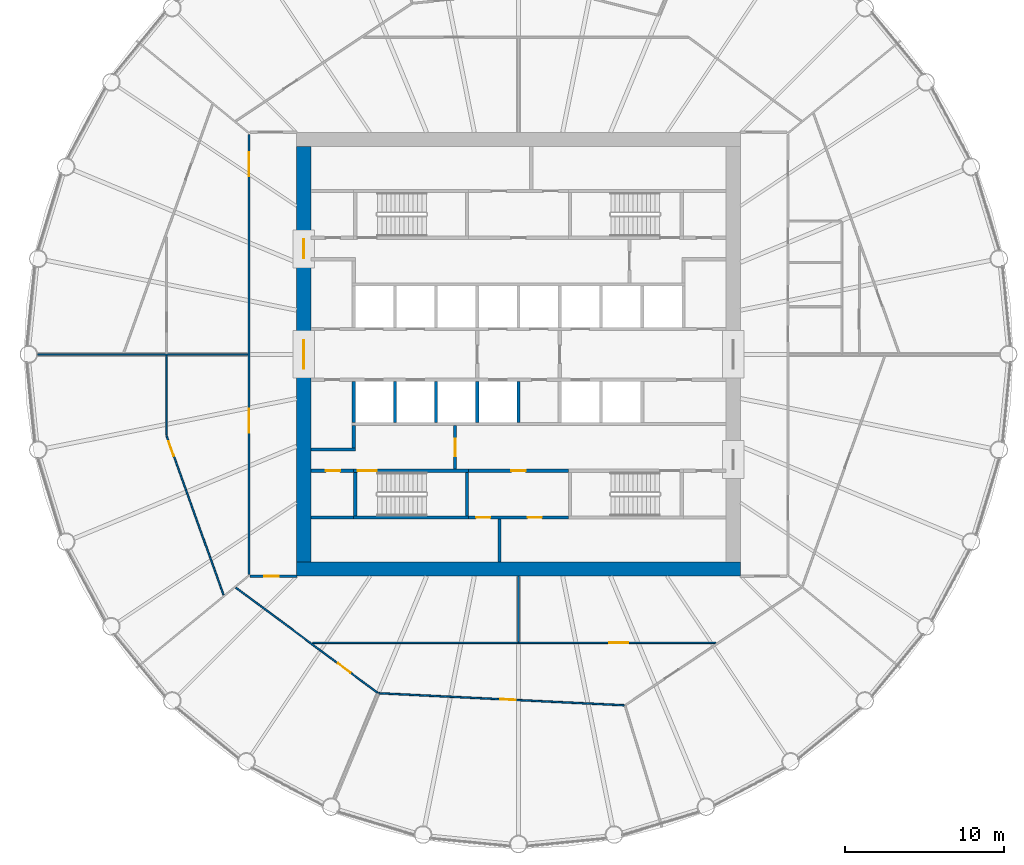
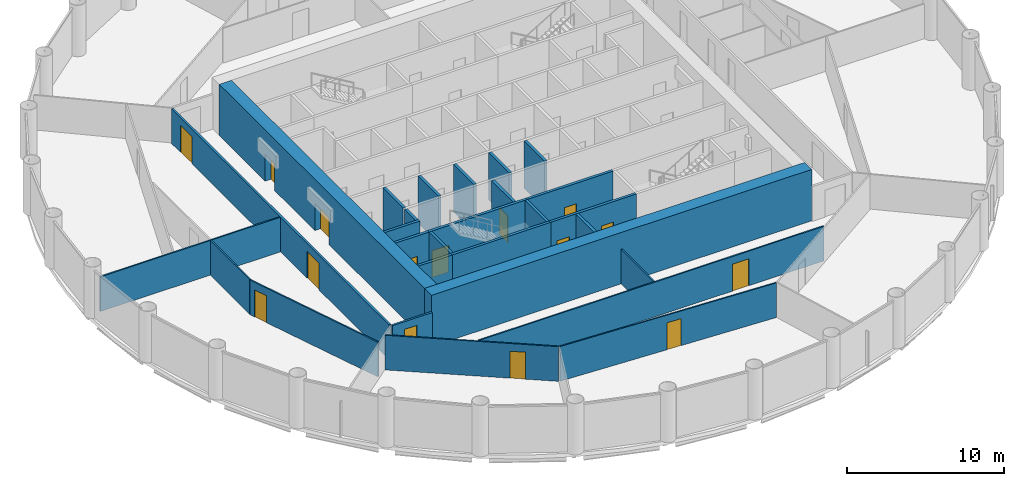
# One storey, part 4 of 9: 28 walls, 15 doors, 15 openings.
"""IFC4 building model written with IfcOpenShell, lengths in metres."""

from ifc_helpers import new_model, si_unit, direction, frame, frame_2d, origin, place, context, subcontext, project, spatial, polyline, rectangle, outline, extrude, material, layer, layer_set, type_object, element, fill, save


model = new_model("IFC4")

# Units and contexts
model_context = context("Model", 3, precision=1e-05, world=origin(), true_north=direction((0.0, 1.0)))
body_context = subcontext(model_context, "Body", "Model", "MODEL_VIEW")
ifc_project = project(units=[si_unit("LENGTHUNIT", "METRE"), si_unit("AREAUNIT", "SQUARE_METRE"), si_unit("VOLUMEUNIT", "CUBIC_METRE"), si_unit("PLANEANGLEUNIT", "RADIAN"), si_unit("MASSUNIT", "GRAM", prefix="KILO")], contexts=[model_context])

# Site, building, storey
site_placement = place(None, origin())
site = spatial("IfcSite", under=ifc_project, at=site_placement, CompositionType="ELEMENT")
building_placement = place(site_placement, origin())
building = spatial("IfcBuilding", under=site, at=building_placement, Name="Corvane Civic Tower", CompositionType="ELEMENT")
storey_placement = place(building_placement, frame((0.0, 0.0, 180.0)))
storey = spatial("IfcBuildingStorey", under=building, at=storey_placement, Name="L42", CompositionType="ELEMENT", Elevation=180.0)

# Wall
ifc_material_1 = material(Name="Concrete C60/75", Category="concrete")
ifc_layer_1 = layer(ifc_material_1, 0.89990234375)
ifc_layer_set_1 = layer_set([ifc_layer_1], Name="Concrete C60/75")
wall_type_1 = type_object("IfcWallType", Name="CORE WALL 900 C60/75", PredefinedType="SHEAR", material=ifc_layer_set_1)
wall_1_placement = place(storey_placement, frame((-14.0, -13.550048828125, 0.0), z_axis=(0.0, 0.0, 1.0), x_axis=(1.0, 0.0, 0.0)))
element("IfcWall", 1, at=wall_1_placement, inside=storey, type_object=wall_type_1, Name="W-L42-core-S", PredefinedType="SHEAR", context=body_context, shape_type="SweptSolid", body=[
    extrude(rectangle(XDim=28.0, YDim=0.89990234375, at=frame_2d((14.0, 0.0))), origin(), (0.0, 0.0, 1.0), 4.0),
])

# Wall, openings, doors
wall_2_placement = place(storey_placement, frame((-13.550048828125, -13.10009765625, 0.0), z_axis=(0.0, 0.0, 1.0), x_axis=(0.0, 1.0, 0.0)))
wall_2 = element("IfcWall", 2, at=wall_2_placement, inside=storey, type_object=wall_type_1, Name="W-L42-core-W", PredefinedType="SHEAR", context=body_context, shape_type="SweptSolid", body=[
    extrude(rectangle(XDim=26.2001953125, YDim=0.89990234375, at=frame_2d((13.10009765625, 0.0))), origin(), (0.0, 0.0, 1.0), 4.0),
])
opening_1_placement = place(wall_2_placement, frame((12.199951171875, 0.0, 0.0)))
opening_1 = element("IfcOpeningElement", 3, at=opening_1_placement, cuts=wall_2, Name="Opening L42.C24", PredefinedType="OPENING", context=body_context, shape_type="SweptSolid", body=[
    extrude(rectangle(XDim=1.800048828125, YDim=2.10009765625, at=frame_2d((0.89990234375, 1.050048828125))), frame((0.0, 0.4599609375, 0.0), z_axis=(0.0, -1.0, 0.0), x_axis=(1.0, 0.0, 0.0)), (0.0, 0.0, 1.0), 0.919921875),
])
opening_2_placement = place(wall_2_placement, frame((19.14990234375, 0.0, 0.0)))
opening_2 = element("IfcOpeningElement", 4, at=opening_2_placement, cuts=wall_2, Name="Opening L42.C26", PredefinedType="OPENING", context=body_context, shape_type="SweptSolid", body=[
    extrude(rectangle(XDim=1.199951171875, YDim=2.10009765625, at=frame_2d((0.60009765625, 1.050048828125))), frame((0.0, 0.4599609375, 0.0), z_axis=(0.0, -1.0, 0.0), x_axis=(1.0, 0.0, 0.0)), (0.0, 0.0, 1.0), 0.919921875),
])
ifc_material_2 = material(Name="Steel fire door leaf", Category="steel")
door_type_1 = type_object("IfcDoorType", Name="CR-DOOR-CORE-1800", OperationType="DOUBLE_DOOR_SINGLE_SWING", PredefinedType="DOOR", material=ifc_material_2)
door_1_placement = place(opening_1_placement, origin())
door_1 = element("IfcDoor", 5, at=door_1_placement, inside=storey, type_object=door_type_1, Name="L42 door", OperationType="DOUBLE_DOOR_SINGLE_SWING", OverallHeight=2.10009765625, OverallWidth=1.800048828125, PredefinedType="DOOR", context=body_context, shape_type="SweptSolid", body=[
    extrude(rectangle(XDim=1.800048828125, YDim=2.10009765625, at=frame_2d((0.89990234375, 1.050048828125))), frame((0.0, 0.02490234375, 0.0), z_axis=(0.0, -1.0, 0.0), x_axis=(1.0, 0.0, 0.0)), (0.0, 0.0, 1.0), 0.050048828125),
])
fill(opening_1, door_1)
door_2_placement = place(opening_2_placement, origin())
door_2 = element("IfcDoor", 6, at=door_2_placement, inside=storey, type_object=door_type_1, Name="L42 door", OperationType="DOUBLE_DOOR_SINGLE_SWING", OverallHeight=2.10009765625, OverallWidth=1.199951171875, PredefinedType="DOOR", context=body_context, shape_type="SweptSolid", body=[
    extrude(rectangle(XDim=1.199951171875, YDim=2.10009765625, at=frame_2d((0.60009765625, 1.050048828125))), frame((0.0, 0.02490234375, 0.0), z_axis=(0.0, -1.0, 0.0), x_axis=(1.0, 0.0, 0.0)), (0.0, 0.0, 1.0), 0.050048828125),
])
fill(opening_2, door_2)

ifc_material_3 = material(Name="Concrete C30/37", Category="concrete")
ifc_layer_2 = layer(ifc_material_3, 0.199951171875)
ifc_layer_set_2 = layer_set([ifc_layer_2], Name="Concrete C30/37")
wall_type_2 = type_object("IfcWallType", Name="CR-WALL-200", PredefinedType="PARTITIONING", material=ifc_layer_set_2)
wall_3_placement = place(storey_placement, frame((-3.14990234375, -10.300048828125, 0.0), z_axis=(0.0, 0.0, 1.0), x_axis=(1.0, 0.0, 0.0)))
wall_3 = element("IfcWall", 7, at=wall_3_placement, inside=storey, type_object=wall_type_2, Name="L42 partition wall", PredefinedType="PARTITIONING", context=body_context, shape_type="SweptSolid", body=[
    extrude(rectangle(XDim=6.2998046875, YDim=0.199951171875, at=frame_2d((3.14990234375, 0.0))), origin(), (0.0, 0.0, 1.0), 3.699951171875),
])
opening_3_placement = place(wall_3_placement, frame((0.47509765625, 0.0, 0.0)))
opening_3 = element("IfcOpeningElement", 8, at=opening_3_placement, cuts=wall_3, Name="Opening L42.C10", PredefinedType="OPENING", context=body_context, shape_type="SweptSolid", body=[
    extrude(rectangle(XDim=0.89990234375, YDim=2.10009765625, at=frame_2d((0.449951171875, 1.050048828125))), frame((0.0, 0.10986328125, 0.0), z_axis=(0.0, -1.0, 0.0), x_axis=(1.0, 0.0, 0.0)), (0.0, 0.0, 1.0), 0.219970703125),
])
opening_4_placement = place(wall_3_placement, frame((3.72509765625, 0.0, 0.0)))
opening_4 = element("IfcOpeningElement", 9, at=opening_4_placement, cuts=wall_3, Name="Opening L42.C11", PredefinedType="OPENING", context=body_context, shape_type="SweptSolid", body=[
    extrude(rectangle(XDim=0.89990234375, YDim=2.10009765625, at=frame_2d((0.449951171875, 1.050048828125))), frame((0.0, 0.10986328125, 0.0), z_axis=(0.0, -1.0, 0.0), x_axis=(1.0, 0.0, 0.0)), (0.0, 0.0, 1.0), 0.219970703125),
])
ifc_material_4 = material(Name="Steel fire door leaf", Category="steel")
door_type_2 = type_object("IfcDoorType", Name="CR-DOOR-900", OperationType="SINGLE_SWING_LEFT", PredefinedType="DOOR", material=ifc_material_4)
door_3_placement = place(opening_3_placement, origin())
door_3 = element("IfcDoor", 10, at=door_3_placement, inside=storey, type_object=door_type_2, Name="L42 door", OperationType="SINGLE_SWING_LEFT", OverallHeight=2.10009765625, OverallWidth=0.89990234375, PredefinedType="DOOR", context=body_context, shape_type="SweptSolid", body=[
    extrude(rectangle(XDim=0.89990234375, YDim=2.10009765625, at=frame_2d((0.449951171875, 1.050048828125))), frame((0.0, 0.02490234375, 0.0), z_axis=(0.0, -1.0, 0.0), x_axis=(1.0, 0.0, 0.0)), (0.0, 0.0, 1.0), 0.050048828125),
])
fill(opening_3, door_3)
door_4_placement = place(opening_4_placement, origin())
door_4 = element("IfcDoor", 11, at=door_4_placement, inside=storey, type_object=door_type_2, Name="L42 door", OperationType="SINGLE_SWING_LEFT", OverallHeight=2.10009765625, OverallWidth=0.89990234375, PredefinedType="DOOR", context=body_context, shape_type="SweptSolid", body=[
    extrude(rectangle(XDim=0.89990234375, YDim=2.10009765625, at=frame_2d((0.449951171875, 1.050048828125))), frame((0.0, 0.02490234375, 0.0), z_axis=(0.0, -1.0, 0.0), x_axis=(1.0, 0.0, 0.0)), (0.0, 0.0, 1.0), 0.050048828125),
])
fill(opening_4, door_4)

# Wall, opening, door
wall_4_placement = place(storey_placement, frame((-13.10009765625, -7.35009765625, 0.0), z_axis=(0.0, 0.0, 1.0), x_axis=(1.0, 0.0, 0.0)))
wall_4 = element("IfcWall", 12, at=wall_4_placement, inside=storey, type_object=wall_type_2, Name="L42 core partition wall", PredefinedType="PARTITIONING", context=body_context, shape_type="SweptSolid", body=[
    extrude(rectangle(XDim=2.7001953125, YDim=0.199951171875, at=frame_2d((1.35009765625, 0.0))), origin(), (0.0, 0.0, 1.0), 3.699951171875),
])
opening_5_placement = place(wall_4_placement, frame((0.949951171875, 0.0, 0.0)))
opening_5 = element("IfcOpeningElement", 13, at=opening_5_placement, cuts=wall_4, Name="Opening L42.C13", PredefinedType="OPENING", context=body_context, shape_type="SweptSolid", body=[
    extrude(rectangle(XDim=0.89990234375, YDim=2.10009765625, at=frame_2d((0.449951171875, 1.050048828125))), frame((0.0, 0.10986328125, 0.0), z_axis=(0.0, -1.0, 0.0), x_axis=(1.0, 0.0, 0.0)), (0.0, 0.0, 1.0), 0.219970703125),
])
door_5_placement = place(opening_5_placement, origin())
door_5 = element("IfcDoor", 14, at=door_5_placement, inside=storey, type_object=door_type_2, Name="L42 door", OperationType="SINGLE_SWING_LEFT", OverallHeight=2.10009765625, OverallWidth=0.89990234375, PredefinedType="DOOR", context=body_context, shape_type="SweptSolid", body=[
    extrude(rectangle(XDim=0.89990234375, YDim=2.10009765625, at=frame_2d((0.449951171875, 1.050048828125))), frame((0.0, 0.02490234375, 0.0), z_axis=(0.0, -1.0, 0.0), x_axis=(1.0, 0.0, 0.0)), (0.0, 0.0, 1.0), 0.050048828125),
])
fill(opening_5, door_5)

wall_5_placement = place(storey_placement, frame((-3.14990234375, -7.35009765625, 0.0), z_axis=(0.0, 0.0, 1.0), x_axis=(1.0, 0.0, 0.0)))
wall_5 = element("IfcWall", 15, at=wall_5_placement, inside=storey, type_object=wall_type_2, Name="L42 core partition wall", PredefinedType="PARTITIONING", context=body_context, shape_type="SweptSolid", body=[
    extrude(rectangle(XDim=6.2998046875, YDim=0.199951171875, at=frame_2d((3.14990234375, 0.0))), origin(), (0.0, 0.0, 1.0), 3.699951171875),
])
opening_6_placement = place(wall_5_placement, frame((2.699951171875, 0.0, 0.0)))
opening_6 = element("IfcOpeningElement", 16, at=opening_6_placement, cuts=wall_5, Name="Opening L42.C07", PredefinedType="OPENING", context=body_context, shape_type="SweptSolid", body=[
    extrude(rectangle(XDim=0.89990234375, YDim=2.10009765625, at=frame_2d((0.449951171875, 1.050048828125))), frame((0.0, 0.10986328125, 0.0), z_axis=(0.0, -1.0, 0.0), x_axis=(1.0, 0.0, 0.0)), (0.0, 0.0, 1.0), 0.219970703125),
])
door_6_placement = place(opening_6_placement, origin())
door_6 = element("IfcDoor", 17, at=door_6_placement, inside=storey, type_object=door_type_2, Name="L42 door", OperationType="SINGLE_SWING_LEFT", OverallHeight=2.10009765625, OverallWidth=0.89990234375, PredefinedType="DOOR", context=body_context, shape_type="SweptSolid", body=[
    extrude(rectangle(XDim=0.89990234375, YDim=2.10009765625, at=frame_2d((0.449951171875, 1.050048828125))), frame((0.0, 0.02490234375, 0.0), z_axis=(0.0, -1.0, 0.0), x_axis=(1.0, 0.0, 0.0)), (0.0, 0.0, 1.0), 0.050048828125),
])
fill(opening_6, door_6)

wall_6_placement = place(storey_placement, frame((-4.0, -7.25, 0.0), z_axis=(0.0, 0.0, 1.0), x_axis=(0.0, 1.0, 0.0)))
wall_6 = element("IfcWall", 18, at=wall_6_placement, inside=storey, type_object=wall_type_2, Name="L42 core partition wall", PredefinedType="PARTITIONING", context=body_context, shape_type="SweptSolid", body=[
    extrude(rectangle(XDim=2.75, YDim=0.199951171875, at=frame_2d((1.375, 0.0))), origin(), (0.0, 0.0, 1.0), 3.699951171875),
])
opening_7_placement = place(wall_6_placement, frame((0.824951171875, 0.0, 0.0)))
opening_7 = element("IfcOpeningElement", 19, at=opening_7_placement, cuts=wall_6, Name="Opening L42.C23", PredefinedType="OPENING", context=body_context, shape_type="SweptSolid", body=[
    extrude(rectangle(XDim=1.10009765625, YDim=2.10009765625, at=frame_2d((0.550048828125, 1.050048828125))), frame((0.0, 0.10986328125, 0.0), z_axis=(0.0, -1.0, 0.0), x_axis=(1.0, 0.0, 0.0)), (0.0, 0.0, 1.0), 0.219970703125),
])
ifc_material_5 = material(Name="Steel fire door leaf", Category="steel")
door_type_3 = type_object("IfcDoorType", Name="CR-DOOR-FFL-1100", OperationType="SINGLE_SWING_LEFT", PredefinedType="DOOR", material=ifc_material_5)
door_7_placement = place(opening_7_placement, origin())
door_7 = element("IfcDoor", 20, at=door_7_placement, inside=storey, type_object=door_type_3, Name="L42 lobby door", OperationType="SINGLE_SWING_LEFT", OverallHeight=2.10009765625, OverallWidth=1.10009765625, PredefinedType="DOOR", context=body_context, shape_type="SweptSolid", body=[
    extrude(rectangle(XDim=1.10009765625, YDim=2.10009765625, at=frame_2d((0.550048828125, 1.050048828125))), frame((0.0, 0.02490234375, 0.0), z_axis=(0.0, -1.0, 0.0), x_axis=(1.0, 0.0, 0.0)), (0.0, 0.0, 1.0), 0.050048828125),
])
fill(opening_7, door_7)

# Walls
wall_7_placement = place(storey_placement, origin())
element("IfcWall", 21, at=wall_7_placement, inside=storey, type_object=wall_type_2, Name="L42 core partition wall", PredefinedType="PARTITIONING", context=body_context, shape_type="SweptSolid", body=[
    extrude(outline(polyline([(-10.300048828125, -6.10009765625), (-13.10009765625, -6.10009765625), (-13.10009765625, -5.89990234375), (-10.300048828125, -5.89990234375), (-10.300048828125, -6.10009765625)])), origin(), (0.0, 0.0, 1.0), 3.699951171875),
])
wall_8_placement = place(storey_placement, origin())
element("IfcWall", 22, at=wall_8_placement, inside=storey, type_object=wall_type_2, Name="L42 core partition wall", PredefinedType="PARTITIONING", context=body_context, shape_type="SweptSolid", body=[
    extrude(outline(polyline([(-2.5, -1.699951171875), (-2.5, -4.2998046875), (-2.699951171875, -4.2998046875), (-2.699951171875, -1.699951171875), (-2.5, -1.699951171875)])), origin(), (0.0, 0.0, 1.0), 3.699951171875),
])
wall_9_placement = place(storey_placement, origin())
element("IfcWall", 23, at=wall_9_placement, inside=storey, type_object=wall_type_2, Name="L42 core partition wall", PredefinedType="PARTITIONING", context=body_context, shape_type="SweptSolid", body=[
    extrude(outline(polyline([(0.10009765625, -1.699951171875), (0.10009765625, -4.2998046875), (-0.10009765625, -4.2998046875), (-0.10009765625, -1.699951171875), (0.10009765625, -1.699951171875)])), origin(), (0.0, 0.0, 1.0), 3.699951171875),
])
wall_10_placement = place(storey_placement, origin())
element("IfcWall", 24, at=wall_10_placement, inside=storey, type_object=wall_type_2, Name="L42 core partition wall", PredefinedType="PARTITIONING", context=body_context, shape_type="SweptSolid", body=[
    extrude(outline(polyline([(-10.300048828125, -1.699951171875), (-10.300048828125, -4.2998046875), (-10.5, -4.2998046875), (-10.5, -1.699951171875), (-10.300048828125, -1.699951171875)])), origin(), (0.0, 0.0, 1.0), 3.699951171875),
])
wall_11_placement = place(storey_placement, origin())
element("IfcWall", 25, at=wall_11_placement, inside=storey, type_object=wall_type_2, Name="L42 core partition wall", PredefinedType="PARTITIONING", context=body_context, shape_type="SweptSolid", body=[
    extrude(outline(polyline([(-7.699951171875, -1.699951171875), (-7.699951171875, -4.2998046875), (-7.89990234375, -4.2998046875), (-7.89990234375, -1.699951171875), (-7.699951171875, -1.699951171875)])), origin(), (0.0, 0.0, 1.0), 3.699951171875),
])
wall_12_placement = place(storey_placement, origin())
element("IfcWall", 26, at=wall_12_placement, inside=storey, type_object=wall_type_2, Name="L42 core partition wall", PredefinedType="PARTITIONING", context=body_context, shape_type="SweptSolid", body=[
    extrude(outline(polyline([(-5.10009765625, -1.699951171875), (-5.10009765625, -4.2998046875), (-5.300048828125, -4.2998046875), (-5.300048828125, -1.699951171875), (-5.10009765625, -1.699951171875)])), origin(), (0.0, 0.0, 1.0), 3.699951171875),
])
wall_13_placement = place(storey_placement, origin())
element("IfcWall", 27, at=wall_13_placement, inside=storey, type_object=wall_type_2, Name="L42 core partition wall", PredefinedType="PARTITIONING", context=body_context, shape_type="SweptSolid", body=[
    extrude(outline(polyline([(-10.300048828125, -5.89990234375), (-10.5, -5.89990234375), (-10.5, -4.5), (-10.300048828125, -4.5), (-10.300048828125, -5.89990234375)])), origin(), (0.0, 0.0, 1.0), 3.699951171875),
])
wall_14_placement = place(storey_placement, origin())
element("IfcWall", 28, at=wall_14_placement, inside=storey, type_object=wall_type_2, Name="L42 core partition wall", PredefinedType="PARTITIONING", context=body_context, shape_type="SweptSolid", body=[
    extrude(outline(polyline([(-10.39990234375, -10.39990234375), (-13.10009765625, -10.39990234375), (-13.10009765625, -10.199951171875), (-10.39990234375, -10.199951171875), (-10.39990234375, -10.39990234375)])), origin(), (0.0, 0.0, 1.0), 3.699951171875),
])
wall_15_placement = place(storey_placement, origin())
element("IfcWall", 29, at=wall_15_placement, inside=storey, type_object=wall_type_2, Name="L42 core partition wall", PredefinedType="PARTITIONING", context=body_context, shape_type="SweptSolid", body=[
    extrude(outline(polyline([(-1.10009765625, -13.10009765625), (-1.300048828125, -13.10009765625), (-1.300048828125, -10.39990234375), (-1.10009765625, -10.39990234375), (-1.10009765625, -13.10009765625)])), origin(), (0.0, 0.0, 1.0), 3.699951171875),
])

# Wall, opening, door
ifc_material_6 = material(Name="Plasterboard")
ifc_layer_3 = layer(ifc_material_6, 0.10009765625)
ifc_layer_set_3 = layer_set([ifc_layer_3], Name="Plasterboard")
wall_type_3 = type_object("IfcWallType", Name="Partition 100 plasterboard on studs", PredefinedType="PARTITIONING", material=ifc_layer_set_3)
wall_16_placement = place(storey_placement, frame((-8.8203125, -21.380859375, 0.0), z_axis=(0.0, 0.0, 1.0), x_axis=(0.998795808247, -0.049060507826, 0.0)))
wall_16 = element("IfcWall", 30, at=wall_16_placement, inside=storey, type_object=wall_type_3, Name="Partition L42.003", PredefinedType="PARTITIONING", context=body_context, shape_type="SweptSolid", body=[
    extrude(rectangle(XDim=15.521240234375, YDim=0.10009765625, at=frame_2d((7.7607421875, 0.0))), origin(), (0.0, 0.0, 1.0), 2.699951171875),
])
opening_8_placement = place(wall_16_placement, frame((7.666259765625, 0.0, 0.0)))
opening_8 = element("IfcOpeningElement", 31, at=opening_8_placement, cuts=wall_16, Name="Opening L42.008", PredefinedType="OPENING", context=body_context, shape_type="SweptSolid", body=[
    extrude(rectangle(XDim=1.0, YDim=2.10009765625, at=frame_2d((0.5, 1.050048828125))), frame((0.0, 0.06005859375, 0.0), z_axis=(0.0, -1.0, 0.0), x_axis=(1.0, 0.0, 0.0)), (0.0, 0.0, 1.0), 0.1201171875),
])
ifc_material_7 = material(Name="Timber", Category="wood")
door_type_4 = type_object("IfcDoorType", Name="Single door 1000", OperationType="NOTDEFINED", PredefinedType="DOOR", material=ifc_material_7)
door_8_placement = place(opening_8_placement, frame((1.0, 0.0, 0.0), z_axis=(0.0, 0.0, 1.0), x_axis=(-1.0, 0.0, 0.0)))
door_8 = element("IfcDoor", 32, at=door_8_placement, inside=storey, type_object=door_type_4, Name="Door L42.008", OperationType="SINGLE_SWING_RIGHT", OverallHeight=2.10009765625, OverallWidth=1.0, PredefinedType="DOOR", context=body_context, shape_type="SweptSolid", body=[
    extrude(rectangle(XDim=1.0, YDim=2.10009765625, at=frame_2d((0.5, 1.050048828125))), frame((0.0, 0.02490234375, 0.0), z_axis=(0.0, -1.0, 0.0), x_axis=(1.0, 0.0, 0.0)), (0.0, 0.0, 1.0), 0.050048828125),
])
fill(opening_8, door_8)

wall_17_placement = place(storey_placement, frame((-17.83642578125, -14.718505859375, 0.0), z_axis=(0.0, 0.0, 1.0), x_axis=(0.803222478357, -0.595679150434, 0.0)))
wall_17 = element("IfcWall", 33, at=wall_17_placement, inside=storey, type_object=wall_type_3, Name="Partition L42.005", PredefinedType="PARTITIONING", context=body_context, shape_type="SweptSolid", body=[
    extrude(rectangle(XDim=11.142333984375, YDim=0.10009765625, at=frame_2d((5.5712890625, 0.0))), origin(), (0.0, 0.0, 1.0), 2.699951171875),
])
opening_9_placement = place(wall_17_placement, frame((8.012939453125, 0.0, 0.0)))
opening_9 = element("IfcOpeningElement", 34, at=opening_9_placement, cuts=wall_17, Name="Opening L42.009", PredefinedType="OPENING", context=body_context, shape_type="SweptSolid", body=[
    extrude(rectangle(XDim=1.0, YDim=2.10009765625, at=frame_2d((0.5, 1.050048828125))), frame((0.0, 0.06005859375, 0.0), z_axis=(0.0, -1.0, 0.0), x_axis=(1.0, 0.0, 0.0)), (0.0, 0.0, 1.0), 0.1201171875),
])
door_9_placement = place(opening_9_placement, frame((1.0, 0.0, 0.0), z_axis=(0.0, 0.0, 1.0), x_axis=(-1.0, 0.0, 0.0)))
door_9 = element("IfcDoor", 35, at=door_9_placement, inside=storey, type_object=door_type_4, Name="Door L42.009", OperationType="SINGLE_SWING_LEFT", OverallHeight=2.10009765625, OverallWidth=1.0, PredefinedType="DOOR", context=body_context, shape_type="SweptSolid", body=[
    extrude(rectangle(XDim=1.0, YDim=2.10009765625, at=frame_2d((0.5, 1.050048828125))), frame((0.0, 0.02490234375, 0.0), z_axis=(0.0, -1.0, 0.0), x_axis=(1.0, 0.0, 0.0)), (0.0, 0.0, 1.0), 0.050048828125),
])
fill(opening_9, door_9)

wall_18_placement = place(storey_placement, frame((-12.990478515625, -18.199951171875, 0.0), z_axis=(0.0, 0.0, 1.0), x_axis=(1.0, 0.0, 0.0)))
wall_18 = element("IfcWall", 36, at=wall_18_placement, inside=storey, type_object=wall_type_3, Name="Partition L42.008", PredefinedType="PARTITIONING", context=body_context, shape_type="SweptSolid", body=[
    extrude(rectangle(XDim=25.44580078125, YDim=0.10009765625, at=frame_2d((12.722900390625, 0.0))), origin(), (0.0, 0.0, 1.0), 2.699951171875),
])
opening_10_placement = place(wall_18_placement, frame((18.70068359375, 0.0, 0.0)))
opening_10 = element("IfcOpeningElement", 37, at=opening_10_placement, cuts=wall_18, Name="Opening L42.010", PredefinedType="OPENING", context=body_context, shape_type="SweptSolid", body=[
    extrude(rectangle(XDim=1.199951171875, YDim=2.10009765625, at=frame_2d((0.60009765625, 1.050048828125))), frame((0.0, 0.06005859375, 0.0), z_axis=(0.0, -1.0, 0.0), x_axis=(1.0, 0.0, 0.0)), (0.0, 0.0, 1.0), 0.1201171875),
])
ifc_material_8 = material(Name="Timber", Category="wood")
door_type_5 = type_object("IfcDoorType", Name="Double door 1200", OperationType="NOTDEFINED", PredefinedType="DOOR", material=ifc_material_8)
door_10_placement = place(opening_10_placement, frame((1.199951171875, 0.0, 0.0), z_axis=(0.0, 0.0, 1.0), x_axis=(-1.0, 0.0, 0.0)))
door_10 = element("IfcDoor", 38, at=door_10_placement, inside=storey, type_object=door_type_5, Name="Door L42.010", OperationType="DOUBLE_DOOR_SINGLE_SWING", OverallHeight=2.10009765625, OverallWidth=1.199951171875, PredefinedType="DOOR", context=body_context, shape_type="SweptSolid", body=[
    extrude(rectangle(XDim=1.199951171875, YDim=2.10009765625, at=frame_2d((0.60009765625, 1.050048828125))), frame((0.0, 0.02490234375, 0.0), z_axis=(0.0, -1.0, 0.0), x_axis=(1.0, 0.0, 0.0)), (0.0, 0.0, 1.0), 0.050048828125),
])
fill(opening_10, door_10)

# Wall
wall_19_placement = place(storey_placement, frame((0.0, -18.14990234375, 0.0), z_axis=(0.0, 0.0, 1.0), x_axis=(0.0, 1.0, 0.0)))
element("IfcWall", 39, at=wall_19_placement, inside=storey, type_object=wall_type_3, Name="Partition L42.009", PredefinedType="PARTITIONING", context=body_context, shape_type="SweptSolid", body=[
    extrude(rectangle(XDim=4.14990234375, YDim=0.10009765625, at=frame_2d((2.074951171875, 0.0))), origin(), (0.0, 0.0, 1.0), 2.699951171875),
])

# Wall, opening, door
wall_20_placement = place(storey_placement, frame((-22.20703125, -5.127197265625, 0.0), z_axis=(0.0, 0.0, 1.0), x_axis=(0.336879271098, -0.941547851521, 0.0)))
wall_20 = element("IfcWall", 40, at=wall_20_placement, inside=storey, type_object=wall_type_3, Name="Partition L42.010", PredefinedType="PARTITIONING", context=body_context, shape_type="SweptSolid", body=[
    extrude(rectangle(XDim=10.682373046875, YDim=0.10009765625, at=frame_2d((5.34130859375, 0.0))), origin(), (0.0, 0.0, 1.0), 2.699951171875),
])
opening_11_placement = place(wall_20_placement, frame((0.375732421875, 0.0, 0.0)))
opening_11 = element("IfcOpeningElement", 41, at=opening_11_placement, cuts=wall_20, Name="Opening L42.021", PredefinedType="OPENING", context=body_context, shape_type="SweptSolid", body=[
    extrude(rectangle(XDim=1.0, YDim=2.10009765625, at=frame_2d((0.5, 1.050048828125))), frame((0.0, 0.06005859375, 0.0), z_axis=(0.0, -1.0, 0.0), x_axis=(1.0, 0.0, 0.0)), (0.0, 0.0, 1.0), 0.1201171875),
])
door_11_placement = place(opening_11_placement, frame((1.0, 0.0, 0.0), z_axis=(0.0, 0.0, 1.0), x_axis=(-1.0, 0.0, 0.0)))
door_11 = element("IfcDoor", 42, at=door_11_placement, inside=storey, type_object=door_type_4, Name="Door L42.021", OperationType="SINGLE_SWING_LEFT", OverallHeight=2.10009765625, OverallWidth=1.0, PredefinedType="DOOR", context=body_context, shape_type="SweptSolid", body=[
    extrude(rectangle(XDim=1.0, YDim=2.10009765625, at=frame_2d((0.5, 1.050048828125))), frame((0.0, 0.02490234375, 0.0), z_axis=(0.0, -1.0, 0.0), x_axis=(1.0, 0.0, 0.0)), (0.0, 0.0, 1.0), 0.050048828125),
])
fill(opening_11, door_11)

# Walls
wall_21_placement = place(storey_placement, frame((-22.199951171875, -5.07470703125, 0.0), z_axis=(0.0, 0.0, 1.0), x_axis=(0.0, 1.0, 0.0)))
element("IfcWall", 43, at=wall_21_placement, inside=storey, type_object=wall_type_3, Name="Partition L42.016", PredefinedType="PARTITIONING", context=body_context, shape_type="SweptSolid", body=[
    extrude(rectangle(XDim=5.024658203125, YDim=0.10009765625, at=frame_2d((2.51220703125, 0.0))), origin(), (0.0, 0.0, 1.0), 2.699951171875),
])
wall_22_placement = place(storey_placement, frame((-30.33984375, 0.0, 0.0), z_axis=(0.0, 0.0, 1.0), x_axis=(1.0, 0.0, 0.0)))
element("IfcWall", 44, at=wall_22_placement, inside=storey, type_object=wall_type_3, Name="Partition L42.017", PredefinedType="PARTITIONING", context=body_context, shape_type="SweptSolid", body=[
    extrude(rectangle(XDim=13.264892578125, YDim=0.10009765625, at=frame_2d((6.63232421875, 0.0))), origin(), (0.0, 0.0, 1.0), 2.699951171875),
])

# Wall, opening, door
ifc_material_9 = material(Name="Concrete C50/60", Category="concrete")
ifc_layer_4 = layer(ifc_material_9, 0.199951171875)
ifc_layer_set_4 = layer_set([ifc_layer_4], Name="Concrete C50/60")
wall_type_4 = type_object("IfcWallType", Name="ST-WALL-200", PredefinedType="SHEAR", material=ifc_layer_set_4)
wall_23_placement = place(storey_placement, frame((-10.39990234375, -7.35009765625, 0.0), z_axis=(0.0, 0.0, 1.0), x_axis=(1.0, 0.0, 0.0)))
wall_23 = element("IfcWall", 45, at=wall_23_placement, inside=storey, type_object=wall_type_4, Name="L42 stair enclosure wall", PredefinedType="SHEAR", context=body_context, shape_type="SweptSolid", body=[
    extrude(rectangle(XDim=7.25, YDim=0.199951171875, at=frame_2d((3.625, 0.0))), origin(), (0.0, 0.0, 1.0), 3.699951171875),
])
opening_12_placement = place(wall_23_placement, frame((0.25, 0.0, 0.0)))
opening_12 = element("IfcOpeningElement", 46, at=opening_12_placement, cuts=wall_23, Name="Opening L42.C19", PredefinedType="OPENING", context=body_context, shape_type="SweptSolid", body=[
    extrude(rectangle(XDim=1.199951171875, YDim=2.10009765625, at=frame_2d((0.60009765625, 1.050048828125))), frame((0.0, 0.10986328125, 0.0), z_axis=(0.0, -1.0, 0.0), x_axis=(1.0, 0.0, 0.0)), (0.0, 0.0, 1.0), 0.219970703125),
])
ifc_material_10 = material(Name="Steel fire door leaf", Category="steel")
door_type_6 = type_object("IfcDoorType", Name="ST-DOOR-1200", OperationType="SINGLE_SWING_RIGHT", PredefinedType="DOOR", material=ifc_material_10)
door_12_placement = place(opening_12_placement, origin())
door_12 = element("IfcDoor", 47, at=door_12_placement, inside=storey, type_object=door_type_6, Name="L42 stair door", OperationType="SINGLE_SWING_RIGHT", OverallHeight=2.10009765625, OverallWidth=1.199951171875, PredefinedType="DOOR", context=body_context, shape_type="SweptSolid", body=[
    extrude(rectangle(XDim=1.199951171875, YDim=2.10009765625, at=frame_2d((0.60009765625, 1.050048828125))), frame((0.0, 0.02490234375, 0.0), z_axis=(0.0, -1.0, 0.0), x_axis=(1.0, 0.0, 0.0)), (0.0, 0.0, 1.0), 0.050048828125),
])
fill(opening_12, door_12)

# Walls
wall_24_placement = place(storey_placement, origin())
element("IfcWall", 48, at=wall_24_placement, inside=storey, type_object=wall_type_4, Name="L42 stair enclosure wall", PredefinedType="SHEAR", context=body_context, shape_type="SweptSolid", body=[
    extrude(outline(polyline([(-3.14990234375, -10.199951171875), (-3.14990234375, -10.39990234375), (-10.39990234375, -10.39990234375), (-10.39990234375, -10.199951171875), (-3.14990234375, -10.199951171875)])), origin(), (0.0, 0.0, 1.0), 3.699951171875),
])
wall_25_placement = place(storey_placement, origin())
element("IfcWall", 49, at=wall_25_placement, inside=storey, type_object=wall_type_4, Name="L42 stair enclosure wall", PredefinedType="SHEAR", context=body_context, shape_type="SweptSolid", body=[
    extrude(outline(polyline([(-3.14990234375, -7.449951171875), (-3.14990234375, -10.199951171875), (-3.35009765625, -10.199951171875), (-3.35009765625, -7.449951171875), (-3.14990234375, -7.449951171875)])), origin(), (0.0, 0.0, 1.0), 3.699951171875),
])
wall_26_placement = place(storey_placement, origin())
element("IfcWall", 50, at=wall_26_placement, inside=storey, type_object=wall_type_4, Name="L42 stair enclosure wall", PredefinedType="SHEAR", context=body_context, shape_type="SweptSolid", body=[
    extrude(outline(polyline([(-10.199951171875, -7.449951171875), (-10.199951171875, -10.199951171875), (-10.39990234375, -10.199951171875), (-10.39990234375, -7.449951171875), (-10.199951171875, -7.449951171875)])), origin(), (0.0, 0.0, 1.0), 3.699951171875),
])

# Wall, opening, door
ifc_material_11 = material(Name="Plasterboard")
ifc_layer_5 = layer(ifc_material_11, 0.14990234375)
ifc_layer_set_5 = layer_set([ifc_layer_5], Name="Plasterboard")
wall_type_5 = type_object("IfcWallType", Name="Tenancy wall 150 EI 60", PredefinedType="PARTITIONING", material=ifc_layer_set_5)
wall_27_placement = place(storey_placement, frame((-16.925048828125, -14.0, 0.0), z_axis=(0.0, 0.0, 1.0), x_axis=(1.0, 0.0, 0.0)))
wall_27 = element("IfcWall", 51, at=wall_27_placement, inside=storey, type_object=wall_type_5, Name="Partition L42.012", PredefinedType="PARTITIONING", context=body_context, shape_type="SweptSolid", body=[
    extrude(rectangle(XDim=2.93505859375, YDim=0.14990234375, at=frame_2d((1.467529296875, 0.0))), origin(), (0.0, 0.0, 1.0), 2.699951171875),
])
opening_13_placement = place(wall_27_placement, frame((0.892578125, 0.0, 0.0)))
opening_13 = element("IfcOpeningElement", 52, at=opening_13_placement, cuts=wall_27, Name="Opening L42.012", PredefinedType="OPENING", context=body_context, shape_type="SweptSolid", body=[
    extrude(rectangle(XDim=0.89990234375, YDim=2.10009765625, at=frame_2d((0.449951171875, 1.050048828125))), frame((0.0, 0.0849609375, 0.0), z_axis=(0.0, -1.0, 0.0), x_axis=(1.0, 0.0, 0.0)), (0.0, 0.0, 1.0), 0.169921875),
])
ifc_material_12 = material(Name="Steel and timber", Category="steel")
door_type_7 = type_object("IfcDoorType", Name="Fire door FD30S 900", OperationType="NOTDEFINED", PredefinedType="DOOR", material=ifc_material_12)
door_13_placement = place(opening_13_placement, frame((0.89990234375, 0.0, 0.0), z_axis=(0.0, 0.0, 1.0), x_axis=(-1.0, 0.0, 0.0)))
door_13 = element("IfcDoor", 53, at=door_13_placement, inside=storey, type_object=door_type_7, Name="Door L42.012", OperationType="SINGLE_SWING_LEFT", OverallHeight=2.10009765625, OverallWidth=0.89990234375, PredefinedType="DOOR", context=body_context, shape_type="SweptSolid", body=[
    extrude(rectangle(XDim=0.89990234375, YDim=2.10009765625, at=frame_2d((0.449951171875, 1.050048828125))), frame((0.0, 0.02490234375, 0.0), z_axis=(0.0, -1.0, 0.0), x_axis=(1.0, 0.0, 0.0)), (0.0, 0.0, 1.0), 0.050048828125),
])
fill(opening_13, door_13)

# Wall, openings, doors
wall_28_placement = place(storey_placement, frame((-17.0, -13.87646484375, 0.0), z_axis=(0.0, 0.0, 1.0), x_axis=(0.0, 1.0, 0.0)))
wall_28 = element("IfcWall", 54, at=wall_28_placement, inside=storey, type_object=wall_type_5, Name="Partition L42.014", PredefinedType="PARTITIONING", context=body_context, shape_type="SweptSolid", body=[
    extrude(rectangle(XDim=27.7529296875, YDim=0.14990234375, at=frame_2d((13.87646484375, 0.0))), origin(), (0.0, 0.0, 1.0), 2.699951171875),
])
opening_14_placement = place(wall_28_placement, frame((8.939697265625, 0.0, 0.0)))
opening_14 = element("IfcOpeningElement", 55, at=opening_14_placement, cuts=wall_28, Name="Opening L42.022", PredefinedType="OPENING", context=body_context, shape_type="SweptSolid", body=[
    extrude(rectangle(XDim=1.5, YDim=2.10009765625, at=frame_2d((0.75, 1.050048828125))), frame((0.0, 0.0849609375, 0.0), z_axis=(0.0, -1.0, 0.0), x_axis=(1.0, 0.0, 0.0)), (0.0, 0.0, 1.0), 0.169921875),
])
opening_15_placement = place(wall_28_placement, frame((25.11474609375, 0.0, 0.0)))
opening_15 = element("IfcOpeningElement", 56, at=opening_15_placement, cuts=wall_28, Name="Opening L42.025", PredefinedType="OPENING", context=body_context, shape_type="SweptSolid", body=[
    extrude(rectangle(XDim=1.5, YDim=2.10009765625, at=frame_2d((0.75, 1.050048828125))), frame((0.0, 0.0849609375, 0.0), z_axis=(0.0, -1.0, 0.0), x_axis=(1.0, 0.0, 0.0)), (0.0, 0.0, 1.0), 0.169921875),
])
ifc_material_13 = material(Name="Steel and timber", Category="steel")
door_type_8 = type_object("IfcDoorType", Name="Fire door FD60 double 1500", OperationType="NOTDEFINED", PredefinedType="DOOR", material=ifc_material_13)
door_14_placement = place(opening_14_placement, origin())
door_14 = element("IfcDoor", 57, at=door_14_placement, inside=storey, type_object=door_type_8, Name="Door L42.022", OperationType="DOUBLE_DOOR_SINGLE_SWING", OverallHeight=2.10009765625, OverallWidth=1.5, PredefinedType="DOOR", context=body_context, shape_type="SweptSolid", body=[
    extrude(rectangle(XDim=1.5, YDim=2.10009765625, at=frame_2d((0.75, 1.050048828125))), frame((0.0, 0.02490234375, 0.0), z_axis=(0.0, -1.0, 0.0), x_axis=(1.0, 0.0, 0.0)), (0.0, 0.0, 1.0), 0.050048828125),
])
fill(opening_14, door_14)
door_15_placement = place(opening_15_placement, origin())
door_15 = element("IfcDoor", 58, at=door_15_placement, inside=storey, type_object=door_type_8, Name="Door L42.025", OperationType="DOUBLE_DOOR_SINGLE_SWING", OverallHeight=2.10009765625, OverallWidth=1.5, PredefinedType="DOOR", context=body_context, shape_type="SweptSolid", body=[
    extrude(rectangle(XDim=1.5, YDim=2.10009765625, at=frame_2d((0.75, 1.050048828125))), frame((0.0, 0.02490234375, 0.0), z_axis=(0.0, -1.0, 0.0), x_axis=(1.0, 0.0, 0.0)), (0.0, 0.0, 1.0), 0.050048828125),
])
fill(opening_15, door_15)

save(model, "model.ifc")
